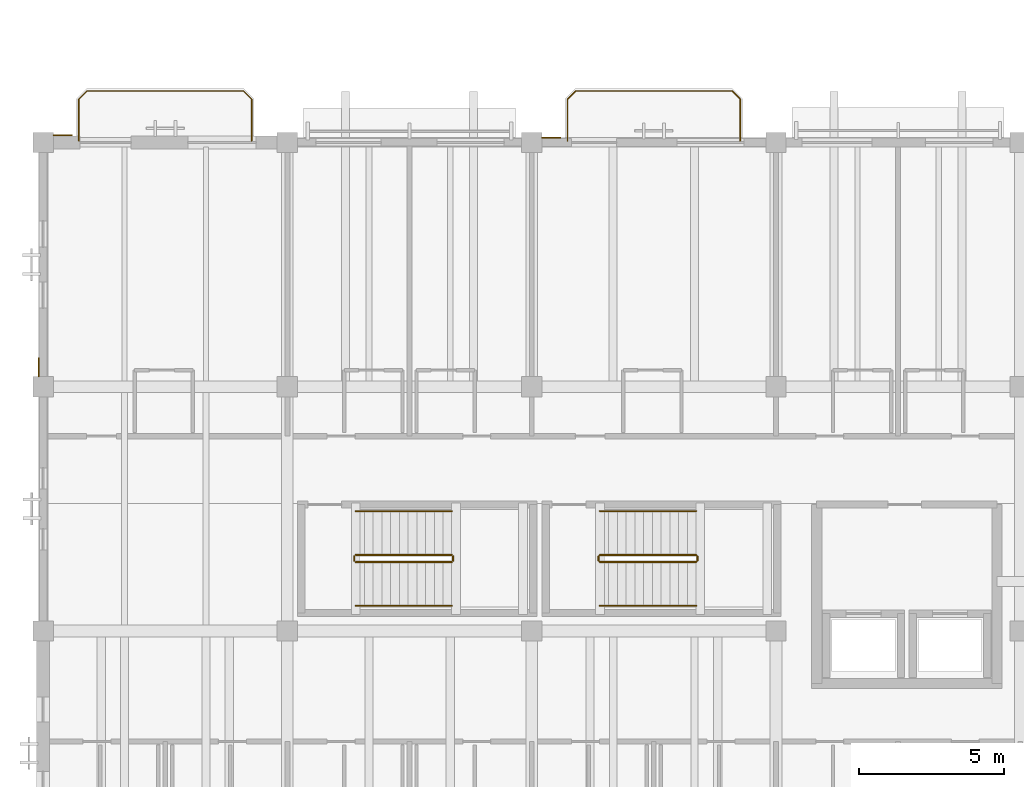
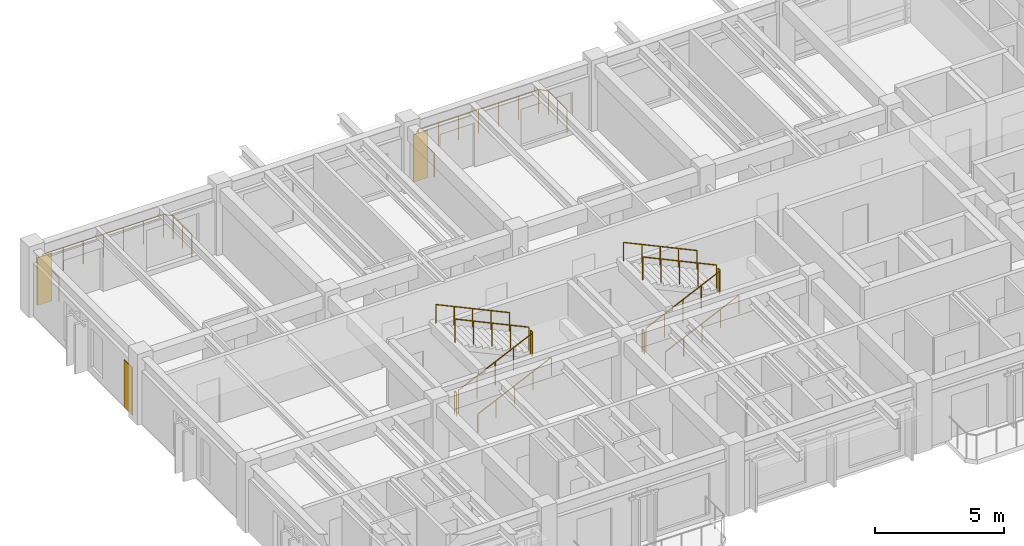
# One storey, part 60 of 64: 14 railings, 3 coverings.
"""IFC4 building model written with IfcOpenShell, lengths in metres."""

from ifc_helpers import new_model, si_unit, direction, frame, origin, origin_2d, place, context, subcontext, project, spatial, polyline, circle, outline, extrude, material, layer, layer_set, type_object, element, save


model = new_model("IFC4")

# Units and contexts
model_context = context("Model", 3, precision=1e-05, world=origin(), true_north=direction((0.0, 1.0)))
body_context = subcontext(model_context, "Body", "Model", "MODEL_VIEW")
ifc_project = project(units=[si_unit("LENGTHUNIT", "METRE"), si_unit("AREAUNIT", "SQUARE_METRE"), si_unit("VOLUMEUNIT", "CUBIC_METRE"), si_unit("PLANEANGLEUNIT", "RADIAN"), si_unit("MASSUNIT", "GRAM", prefix="KILO")], contexts=[model_context])

# Site, building, storey
site_placement = place(None, origin())
site = spatial("IfcSite", under=ifc_project, at=site_placement, CompositionType="ELEMENT")
building_placement = place(site_placement, origin())
building = spatial("IfcBuilding", under=site, at=building_placement, Name="Cumbredor Promenade Congress Hotel", CompositionType="ELEMENT")
storey_placement = place(building_placement, frame((0.0, 0.0, 18.47998046875)))
storey = spatial("IfcBuildingStorey", under=building, at=storey_placement, Name="L05", CompositionType="ELEMENT", Elevation=18.47998046875)

# Covering
ifc_material_1 = material(Name="Precast concrete C40/50", Category="concrete")
ifc_layer_1 = layer(ifc_material_1, 0.044921875, Name="Precast concrete C40/50", Category="concrete")
ifc_layer_set_1 = layer_set([ifc_layer_1], Name="Precast concrete C40/50")
covering_type_1 = type_object("IfcCoveringType", Name="Board-Formed Architectural Cladding Panel 45mm", PredefinedType="CLADDING", material=ifc_layer_set_1)
covering_1_placement = place(storey_placement, origin())
element("IfcCovering", 1, at=covering_1_placement, inside=storey, type_object=covering_type_1, Name="L05 Facade Stone Cladding Pier 202", PredefinedType="CLADDING", context=body_context, shape_type="SweptSolid", body=[
    extrude(outline(polyline([(0.35107421875, 117.824951171875), (1.0009765625, 117.824951171875), (1.0009765625, 117.8701171875), (0.35107421875, 117.8701171875), (0.35107421875, 117.824951171875)])), origin(), (0.0, 0.0, 1.0), 2.25),
])

# Railings
ifc_material_2 = material(Name="Brushed stainless steel", Category="steel")
railing_type_1 = type_object("IfcRailingType", Name="Interior Void & Stair Guardrail GR-1100", PredefinedType="GUARDRAIL", material=ifc_material_2)
railing_1_placement = place(storey_placement, frame((10.75, 103.169921875, 0.14013671875)))
element("IfcRailing", 2, at=railing_1_placement, inside=storey, type_object=railing_type_1, Name="L05 ST-01 stair guard 1", PredefinedType="GUARDRAIL", context=body_context, shape_type="SweptSolid", body=[
    extrude(circle(Radius=0.02392578125, at=origin_2d()), frame((0.0, 0.0, 1.09619140625), z_axis=(0.906207117075, 0.0, 0.422834082074), x_axis=(0.0, 1.0, 0.0)), (0.0, 0.0, 1.0), 3.6416015625),
    extrude(circle(Radius=0.02099609375, at=origin_2d()), origin(), (0.0, 0.0, 1.0), 1.072021484375),
    extrude(circle(Radius=0.02099609375, at=origin_2d()), frame((0.824951171875, 0.0, 0.385009765625)), (0.0, 0.0, 1.0), 1.072021484375),
    extrude(circle(Radius=0.02099609375, at=origin_2d()), frame((1.64990234375, 0.0, 0.77001953125)), (0.0, 0.0, 1.0), 1.072021484375),
    extrude(circle(Radius=0.02099609375, at=origin_2d()), frame((2.47509765625, 0.0, 1.15478515625)), (0.0, 0.0, 1.0), 1.072021484375),
    extrude(circle(Radius=0.02099609375, at=origin_2d()), frame((3.300048828125, 0.0, 1.539794921875)), (0.0, 0.0, 1.0), 1.072021484375),
])
railing_2_placement = place(storey_placement, frame((14.10009765625, 103.219970703125, 1.679931640625)))
element("IfcRailing", 3, at=railing_2_placement, inside=storey, type_object=railing_type_1, Name="L05 ST-01 stair guard 2", PredefinedType="GUARDRAIL", context=body_context, shape_type="SweptSolid", body=[
    extrude(circle(Radius=0.02392578125, at=origin_2d()), frame((0.0, 0.0, 1.09619140625), z_axis=(0.0, 1.0, 0.0), x_axis=(-1.0, 0.0, 0.0)), (0.0, 0.0, 1.0), 0.150146484375),
    extrude(circle(Radius=0.02099609375, at=origin_2d()), origin(), (0.0, 0.0, 1.0), 1.072021484375),
    extrude(circle(Radius=0.02099609375, at=origin_2d()), frame((0.0, 0.150146484375, 0.0)), (0.0, 0.0, 1.0), 1.072021484375),
])
railing_3_placement = place(storey_placement, frame((14.050048828125, 103.419921875, 1.820068359375)))
element("IfcRailing", 4, at=railing_3_placement, inside=storey, type_object=railing_type_1, Name="L05 ST-01 stair guard 3", PredefinedType="GUARDRAIL", context=body_context, shape_type="SweptSolid", body=[
    extrude(circle(Radius=0.02392578125, at=origin_2d()), frame((0.0, 0.0, 1.09619140625), z_axis=(-0.906181427284, 0.0, 0.422889135408), x_axis=(0.0, -1.0, 0.0)), (0.0, 0.0, 1.0), 3.6416015625),
    extrude(circle(Radius=0.02099609375, at=origin_2d()), origin(), (0.0, 0.0, 1.0), 1.072021484375),
    extrude(circle(Radius=0.02099609375, at=origin_2d()), frame((-0.824951171875, 0.0, 0.385009765625)), (0.0, 0.0, 1.0), 1.072021484375),
    extrude(circle(Radius=0.02099609375, at=origin_2d()), frame((-1.64990234375, 0.0, 0.77001953125)), (0.0, 0.0, 1.0), 1.072021484375),
    extrude(circle(Radius=0.02099609375, at=origin_2d()), frame((-2.47509765625, 0.0, 1.155029296875)), (0.0, 0.0, 1.0), 1.072021484375),
    extrude(circle(Radius=0.02099609375, at=origin_2d()), frame((-3.300048828125, 0.0, 1.5400390625)), (0.0, 0.0, 1.0), 1.072021484375),
])
railing_4_placement = place(storey_placement, frame((10.699951171875, 103.219970703125, 0.0)))
element("IfcRailing", 5, at=railing_4_placement, inside=storey, type_object=railing_type_1, Name="L05 ST-01 stair guard 4", PredefinedType="GUARDRAIL", context=body_context, shape_type="SweptSolid", body=[
    extrude(circle(Radius=0.02392578125, at=origin_2d()), frame((0.0, 0.0, 1.09619140625), z_axis=(0.0, 1.0, 0.0), x_axis=(-1.0, 0.0, 0.0)), (0.0, 0.0, 1.0), 0.150146484375),
    extrude(circle(Radius=0.02099609375, at=origin_2d()), origin(), (0.0, 0.0, 1.0), 1.072021484375),
    extrude(circle(Radius=0.02099609375, at=origin_2d()), frame((0.0, 0.150146484375, 0.0)), (0.0, 0.0, 1.0), 1.072021484375),
])
railing_5_placement = place(storey_placement, frame((19.14990234375, 103.169921875, 0.14013671875)))
element("IfcRailing", 6, at=railing_5_placement, inside=storey, type_object=railing_type_1, Name="L05 ST-02 stair guard 1", PredefinedType="GUARDRAIL", context=body_context, shape_type="SweptSolid", body=[
    extrude(circle(Radius=0.02392578125, at=origin_2d()), frame((0.0, 0.0, 1.09619140625), z_axis=(0.906207117075, 0.0, 0.422834082074), x_axis=(0.0, 1.0, 0.0)), (0.0, 0.0, 1.0), 3.6416015625),
    extrude(circle(Radius=0.02099609375, at=origin_2d()), origin(), (0.0, 0.0, 1.0), 1.072021484375),
    extrude(circle(Radius=0.02099609375, at=origin_2d()), frame((0.824951171875, 0.0, 0.385009765625)), (0.0, 0.0, 1.0), 1.072021484375),
    extrude(circle(Radius=0.02099609375, at=origin_2d()), frame((1.64990234375, 0.0, 0.77001953125)), (0.0, 0.0, 1.0), 1.072021484375),
    extrude(circle(Radius=0.02099609375, at=origin_2d()), frame((2.47509765625, 0.0, 1.15478515625)), (0.0, 0.0, 1.0), 1.072021484375),
    extrude(circle(Radius=0.02099609375, at=origin_2d()), frame((3.300048828125, 0.0, 1.539794921875)), (0.0, 0.0, 1.0), 1.072021484375),
])
railing_6_placement = place(storey_placement, frame((22.5, 103.219970703125, 1.679931640625)))
element("IfcRailing", 7, at=railing_6_placement, inside=storey, type_object=railing_type_1, Name="L05 ST-02 stair guard 2", PredefinedType="GUARDRAIL", context=body_context, shape_type="SweptSolid", body=[
    extrude(circle(Radius=0.02392578125, at=origin_2d()), frame((0.0, 0.0, 1.09619140625), z_axis=(0.0, 1.0, 0.0), x_axis=(-1.0, 0.0, 0.0)), (0.0, 0.0, 1.0), 0.150146484375),
    extrude(circle(Radius=0.02099609375, at=origin_2d()), origin(), (0.0, 0.0, 1.0), 1.072021484375),
    extrude(circle(Radius=0.02099609375, at=origin_2d()), frame((0.0, 0.150146484375, 0.0)), (0.0, 0.0, 1.0), 1.072021484375),
])
railing_7_placement = place(storey_placement, frame((22.449951171875, 103.419921875, 1.820068359375)))
element("IfcRailing", 8, at=railing_7_placement, inside=storey, type_object=railing_type_1, Name="L05 ST-02 stair guard 3", PredefinedType="GUARDRAIL", context=body_context, shape_type="SweptSolid", body=[
    extrude(circle(Radius=0.02392578125, at=origin_2d()), frame((0.0, 0.0, 1.09619140625), z_axis=(-0.906181427284, 0.0, 0.422889135408), x_axis=(0.0, -1.0, 0.0)), (0.0, 0.0, 1.0), 3.6416015625),
    extrude(circle(Radius=0.02099609375, at=origin_2d()), origin(), (0.0, 0.0, 1.0), 1.072021484375),
    extrude(circle(Radius=0.02099609375, at=origin_2d()), frame((-0.824951171875, 0.0, 0.385009765625)), (0.0, 0.0, 1.0), 1.072021484375),
    extrude(circle(Radius=0.02099609375, at=origin_2d()), frame((-1.64990234375, 0.0, 0.77001953125)), (0.0, 0.0, 1.0), 1.072021484375),
    extrude(circle(Radius=0.02099609375, at=origin_2d()), frame((-2.47509765625, 0.0, 1.155029296875)), (0.0, 0.0, 1.0), 1.072021484375),
    extrude(circle(Radius=0.02099609375, at=origin_2d()), frame((-3.300048828125, 0.0, 1.5400390625)), (0.0, 0.0, 1.0), 1.072021484375),
])
railing_8_placement = place(storey_placement, frame((19.10009765625, 103.219970703125, 0.0)))
element("IfcRailing", 9, at=railing_8_placement, inside=storey, type_object=railing_type_1, Name="L05 ST-02 stair guard 4", PredefinedType="GUARDRAIL", context=body_context, shape_type="SweptSolid", body=[
    extrude(circle(Radius=0.02392578125, at=origin_2d()), frame((0.0, 0.0, 1.09619140625), z_axis=(0.0, 1.0, 0.0), x_axis=(-1.0, 0.0, 0.0)), (0.0, 0.0, 1.0), 0.150146484375),
    extrude(circle(Radius=0.02099609375, at=origin_2d()), origin(), (0.0, 0.0, 1.0), 1.072021484375),
    extrude(circle(Radius=0.02099609375, at=origin_2d()), frame((0.0, 0.150146484375, 0.0)), (0.0, 0.0, 1.0), 1.072021484375),
])
railing_type_2 = type_object("IfcRailingType", Name="Sky Garden Glass-and-Steel Balustrade BAL-1150", PredefinedType="BALUSTRADE", material=ifc_material_2)
railing_9_placement = place(storey_placement, frame((18.030029296875, 117.64990234375, 0.0)))
element("IfcRailing", 10, at=railing_9_placement, inside=storey, type_object=railing_type_2, Name="L05 Veranda Balcony Balustrade 026", PredefinedType="BALUSTRADE", context=body_context, shape_type="SweptSolid", body=[
    extrude(circle(Radius=0.02392578125, at=origin_2d()), frame((0.0, 0.0, 1.1259765625), z_axis=(0.0, 1.0, 0.0), x_axis=(-1.0, 0.0, 0.0)), (0.0, 0.0, 1.0), 1.440185546875),
    extrude(circle(Radius=0.02392578125, at=origin_2d()), frame((0.0, 1.440185546875, 1.1259765625), z_axis=(0.707106781187, 0.707106781187, 0.0), x_axis=(-0.707106781187, 0.707106781187, 0.0)), (0.0, 0.0, 1.0), 0.39599609375),
    extrude(circle(Radius=0.02392578125, at=origin_2d()), frame((0.280029296875, 1.72021484375, 1.1259765625), z_axis=(1.0, 0.0, 0.0), x_axis=(0.0, 1.0, 0.0)), (0.0, 0.0, 1.0), 5.3798828125),
    extrude(circle(Radius=0.02392578125, at=origin_2d()), frame((5.659912109375, 1.72021484375, 1.1259765625), z_axis=(0.707106781187, -0.707106781187, 0.0), x_axis=(0.707106781187, 0.707106781187, 0.0)), (0.0, 0.0, 1.0), 0.39599609375),
    extrude(circle(Radius=0.02392578125, at=origin_2d()), frame((5.93994140625, 1.440185546875, 1.1259765625), z_axis=(0.0, -1.0, 0.0), x_axis=(1.0, 0.0, 0.0)), (0.0, 0.0, 1.0), 1.440185546875),
    extrude(circle(Radius=0.02099609375, at=origin_2d()), origin(), (0.0, 0.0, 1.0), 1.101806640625),
    extrude(circle(Radius=0.02099609375, at=origin_2d()), frame((0.0, 0.72021484375, 0.0)), (0.0, 0.0, 1.0), 1.101806640625),
    extrude(circle(Radius=0.02099609375, at=origin_2d()), frame((0.0, 1.440185546875, 0.0)), (0.0, 0.0, 1.0), 1.101806640625),
    extrude(circle(Radius=0.02099609375, at=origin_2d()), frame((0.280029296875, 1.72021484375, 0.0)), (0.0, 0.0, 1.0), 1.101806640625),
    extrude(circle(Radius=0.02099609375, at=origin_2d()), frame((1.1767578125, 1.72021484375, 0.0)), (0.0, 0.0, 1.0), 1.101806640625),
    extrude(circle(Radius=0.02099609375, at=origin_2d()), frame((2.0732421875, 1.72021484375, 0.0)), (0.0, 0.0, 1.0), 1.101806640625),
    extrude(circle(Radius=0.02099609375, at=origin_2d()), frame((2.969970703125, 1.72021484375, 0.0)), (0.0, 0.0, 1.0), 1.101806640625),
    extrude(circle(Radius=0.02099609375, at=origin_2d()), frame((3.86669921875, 1.72021484375, 0.0)), (0.0, 0.0, 1.0), 1.101806640625),
    extrude(circle(Radius=0.02099609375, at=origin_2d()), frame((4.76318359375, 1.72021484375, 0.0)), (0.0, 0.0, 1.0), 1.101806640625),
    extrude(circle(Radius=0.02099609375, at=origin_2d()), frame((5.659912109375, 1.72021484375, 0.0)), (0.0, 0.0, 1.0), 1.101806640625),
    extrude(circle(Radius=0.02099609375, at=origin_2d()), frame((5.93994140625, 1.440185546875, 0.0)), (0.0, 0.0, 1.0), 1.101806640625),
    extrude(circle(Radius=0.02099609375, at=origin_2d()), frame((5.93994140625, 0.72021484375, 0.0)), (0.0, 0.0, 1.0), 1.101806640625),
    extrude(circle(Radius=0.02099609375, at=origin_2d()), frame((5.93994140625, 0.0, 0.0)), (0.0, 0.0, 1.0), 1.101806640625),
])
railing_type_3 = type_object("IfcRailingType", Name="Stair Pitch Handrail HR-900", PredefinedType="HANDRAIL", material=ifc_material_2)
railing_10_placement = place(storey_placement, frame((10.75, 101.669921875, 0.14013671875)))
element("IfcRailing", 11, at=railing_10_placement, inside=storey, type_object=railing_type_3, Name="L05 ST-01 stair handrail 1", PredefinedType="HANDRAIL", context=body_context, shape_type="SweptSolid", body=[
    extrude(circle(Radius=0.02392578125, at=origin_2d()), frame((0.0, 0.0, 0.8759765625), z_axis=(0.906207117075, 0.0, 0.422834082074), x_axis=(0.0, 1.0, 0.0)), (0.0, 0.0, 1.0), 3.6416015625),
    extrude(circle(Radius=0.02099609375, at=origin_2d()), origin(), (0.0, 0.0, 1.0), 0.851806640625),
    extrude(circle(Radius=0.02099609375, at=origin_2d()), frame((0.824951171875, 0.0, 0.385009765625)), (0.0, 0.0, 1.0), 0.851806640625),
    extrude(circle(Radius=0.02099609375, at=origin_2d()), frame((1.64990234375, 0.0, 0.77001953125)), (0.0, 0.0, 1.0), 0.851806640625),
    extrude(circle(Radius=0.02099609375, at=origin_2d()), frame((2.47509765625, 0.0, 1.15478515625)), (0.0, 0.0, 1.0), 0.851806640625),
    extrude(circle(Radius=0.02099609375, at=origin_2d()), frame((3.300048828125, 0.0, 1.539794921875)), (0.0, 0.0, 1.0), 0.851806640625),
])
railing_11_placement = place(storey_placement, frame((14.050048828125, 104.919921875, 1.820068359375)))
element("IfcRailing", 12, at=railing_11_placement, inside=storey, type_object=railing_type_3, Name="L05 ST-01 stair handrail 2", PredefinedType="HANDRAIL", context=body_context, shape_type="SweptSolid", body=[
    extrude(circle(Radius=0.02392578125, at=origin_2d()), frame((0.0, 0.0, 0.8759765625), z_axis=(-0.906181427284, 0.0, 0.422889135408), x_axis=(0.0, -1.0, 0.0)), (0.0, 0.0, 1.0), 3.6416015625),
    extrude(circle(Radius=0.02099609375, at=origin_2d()), origin(), (0.0, 0.0, 1.0), 0.851806640625),
    extrude(circle(Radius=0.02099609375, at=origin_2d()), frame((-0.824951171875, 0.0, 0.385009765625)), (0.0, 0.0, 1.0), 0.851806640625),
    extrude(circle(Radius=0.02099609375, at=origin_2d()), frame((-1.64990234375, 0.0, 0.77001953125)), (0.0, 0.0, 1.0), 0.851806640625),
    extrude(circle(Radius=0.02099609375, at=origin_2d()), frame((-2.47509765625, 0.0, 1.155029296875)), (0.0, 0.0, 1.0), 0.851806640625),
    extrude(circle(Radius=0.02099609375, at=origin_2d()), frame((-3.300048828125, 0.0, 1.5400390625)), (0.0, 0.0, 1.0), 0.851806640625),
])
railing_12_placement = place(storey_placement, frame((19.14990234375, 101.669921875, 0.14013671875)))
element("IfcRailing", 13, at=railing_12_placement, inside=storey, type_object=railing_type_3, Name="L05 ST-02 stair handrail 1", PredefinedType="HANDRAIL", context=body_context, shape_type="SweptSolid", body=[
    extrude(circle(Radius=0.02392578125, at=origin_2d()), frame((0.0, 0.0, 0.8759765625), z_axis=(0.906207117075, 0.0, 0.422834082074), x_axis=(0.0, 1.0, 0.0)), (0.0, 0.0, 1.0), 3.6416015625),
    extrude(circle(Radius=0.02099609375, at=origin_2d()), origin(), (0.0, 0.0, 1.0), 0.851806640625),
    extrude(circle(Radius=0.02099609375, at=origin_2d()), frame((0.824951171875, 0.0, 0.385009765625)), (0.0, 0.0, 1.0), 0.851806640625),
    extrude(circle(Radius=0.02099609375, at=origin_2d()), frame((1.64990234375, 0.0, 0.77001953125)), (0.0, 0.0, 1.0), 0.851806640625),
    extrude(circle(Radius=0.02099609375, at=origin_2d()), frame((2.47509765625, 0.0, 1.15478515625)), (0.0, 0.0, 1.0), 0.851806640625),
    extrude(circle(Radius=0.02099609375, at=origin_2d()), frame((3.300048828125, 0.0, 1.539794921875)), (0.0, 0.0, 1.0), 0.851806640625),
])
railing_13_placement = place(storey_placement, frame((22.449951171875, 104.919921875, 1.820068359375)))
element("IfcRailing", 14, at=railing_13_placement, inside=storey, type_object=railing_type_3, Name="L05 ST-02 stair handrail 2", PredefinedType="HANDRAIL", context=body_context, shape_type="SweptSolid", body=[
    extrude(circle(Radius=0.02392578125, at=origin_2d()), frame((0.0, 0.0, 0.8759765625), z_axis=(-0.906181427284, 0.0, 0.422889135408), x_axis=(0.0, -1.0, 0.0)), (0.0, 0.0, 1.0), 3.6416015625),
    extrude(circle(Radius=0.02099609375, at=origin_2d()), origin(), (0.0, 0.0, 1.0), 0.851806640625),
    extrude(circle(Radius=0.02099609375, at=origin_2d()), frame((-0.824951171875, 0.0, 0.385009765625)), (0.0, 0.0, 1.0), 0.851806640625),
    extrude(circle(Radius=0.02099609375, at=origin_2d()), frame((-1.64990234375, 0.0, 0.77001953125)), (0.0, 0.0, 1.0), 0.851806640625),
    extrude(circle(Radius=0.02099609375, at=origin_2d()), frame((-2.47509765625, 0.0, 1.155029296875)), (0.0, 0.0, 1.0), 0.851806640625),
    extrude(circle(Radius=0.02099609375, at=origin_2d()), frame((-3.300048828125, 0.0, 1.5400390625)), (0.0, 0.0, 1.0), 0.851806640625),
])
railing_type_4 = type_object("IfcRailingType", Name="Terrace Perimeter Balustrade BAL-1120", PredefinedType="BALUSTRADE", material=ifc_material_2)
railing_14_placement = place(storey_placement, frame((1.22998046875, 117.64990234375, 0.0)))
element("IfcRailing", 15, at=railing_14_placement, inside=storey, type_object=railing_type_4, Name="L05 Veranda Balcony Balustrade 025", PredefinedType="BALUSTRADE", context=body_context, shape_type="SweptSolid", body=[
    extrude(circle(Radius=0.02392578125, at=origin_2d()), frame((0.0, 0.0, 1.09619140625), z_axis=(0.0, 1.0, 0.0), x_axis=(-1.0, 0.0, 0.0)), (0.0, 0.0, 1.0), 1.440185546875),
    extrude(circle(Radius=0.02392578125, at=origin_2d()), frame((0.0, 1.440185546875, 1.09619140625), z_axis=(0.707106781187, 0.707106781187, 0.0), x_axis=(-0.707106781187, 0.707106781187, 0.0)), (0.0, 0.0, 1.0), 0.39599609375),
    extrude(circle(Radius=0.02392578125, at=origin_2d()), frame((0.280029296875, 1.72021484375, 1.09619140625), z_axis=(1.0, 0.0, 0.0), x_axis=(0.0, 1.0, 0.0)), (0.0, 0.0, 1.0), 5.3798828125),
    extrude(circle(Radius=0.02392578125, at=origin_2d()), frame((5.659912109375, 1.72021484375, 1.09619140625), z_axis=(0.707106781187, -0.707106781187, 0.0), x_axis=(0.707106781187, 0.707106781187, 0.0)), (0.0, 0.0, 1.0), 0.39599609375),
    extrude(circle(Radius=0.02392578125, at=origin_2d()), frame((5.93994140625, 1.440185546875, 1.09619140625), z_axis=(0.0, -1.0, 0.0), x_axis=(1.0, 0.0, 0.0)), (0.0, 0.0, 1.0), 1.440185546875),
    extrude(circle(Radius=0.02099609375, at=origin_2d()), origin(), (0.0, 0.0, 1.0), 1.072021484375),
    extrude(circle(Radius=0.02099609375, at=origin_2d()), frame((0.0, 0.72021484375, 0.0)), (0.0, 0.0, 1.0), 1.072021484375),
    extrude(circle(Radius=0.02099609375, at=origin_2d()), frame((0.0, 1.440185546875, 0.0)), (0.0, 0.0, 1.0), 1.072021484375),
    extrude(circle(Radius=0.02099609375, at=origin_2d()), frame((0.280029296875, 1.72021484375, 0.0)), (0.0, 0.0, 1.0), 1.072021484375),
    extrude(circle(Radius=0.02099609375, at=origin_2d()), frame((1.1767578125, 1.72021484375, 0.0)), (0.0, 0.0, 1.0), 1.072021484375),
    extrude(circle(Radius=0.02099609375, at=origin_2d()), frame((2.0732421875, 1.72021484375, 0.0)), (0.0, 0.0, 1.0), 1.072021484375),
    extrude(circle(Radius=0.02099609375, at=origin_2d()), frame((2.969970703125, 1.72021484375, 0.0)), (0.0, 0.0, 1.0), 1.072021484375),
    extrude(circle(Radius=0.02099609375, at=origin_2d()), frame((3.86669921875, 1.72021484375, 0.0)), (0.0, 0.0, 1.0), 1.072021484375),
    extrude(circle(Radius=0.02099609375, at=origin_2d()), frame((4.76318359375, 1.72021484375, 0.0)), (0.0, 0.0, 1.0), 1.072021484375),
    extrude(circle(Radius=0.02099609375, at=origin_2d()), frame((5.659912109375, 1.72021484375, 0.0)), (0.0, 0.0, 1.0), 1.072021484375),
    extrude(circle(Radius=0.02099609375, at=origin_2d()), frame((5.93994140625, 1.440185546875, 0.0)), (0.0, 0.0, 1.0), 1.072021484375),
    extrude(circle(Radius=0.02099609375, at=origin_2d()), frame((5.93994140625, 0.72021484375, 0.0)), (0.0, 0.0, 1.0), 1.072021484375),
    extrude(circle(Radius=0.02099609375, at=origin_2d()), frame((5.93994140625, 0.0, 0.0)), (0.0, 0.0, 1.0), 1.072021484375),
])

# Coverings
ifc_material_3 = material(Name="Volcanic andesite ashlar cladding", Category="masonry")
ifc_layer_2 = layer(ifc_material_3, 0.034912109375, Name="Volcanic andesite ashlar cladding", Category="masonry")
ifc_layer_set_2 = layer_set([ifc_layer_2], Name="Volcanic andesite ashlar cladding")
covering_type_2 = type_object("IfcCoveringType", Name="Volcanic Andesite Ashlar Rainscreen Cladding 35mm", PredefinedType="CLADDING", material=ifc_layer_set_2)
covering_2_placement = place(storey_placement, origin())
element("IfcCovering", 16, at=covering_2_placement, inside=storey, type_object=covering_type_2, Name="L05 Facade Stone Cladding Pier 203", PredefinedType="CLADDING", context=body_context, shape_type="SweptSolid", body=[
    extrude(outline(polyline([(17.15087890625, 117.739990234375), (17.801025390625, 117.739990234375), (17.801025390625, 117.77490234375), (17.15087890625, 117.77490234375), (17.15087890625, 117.739990234375)])), origin(), (0.0, 0.0, 1.0), 2.25),
])
covering_3_placement = place(storey_placement, origin())
element("IfcCovering", 17, at=covering_3_placement, inside=storey, type_object=covering_type_2, Name="L05 Facade Stone Cladding Pier 207", PredefinedType="CLADDING", context=body_context, shape_type="SweptSolid", body=[
    extrude(outline(polyline([(-0.139892578125, 109.551025390625), (-0.139892578125, 110.200927734375), (-0.175048828125, 110.200927734375), (-0.175048828125, 109.551025390625), (-0.139892578125, 109.551025390625)])), origin(), (0.0, 0.0, 1.0), 2.25),
])

save(model, "model.ifc")
